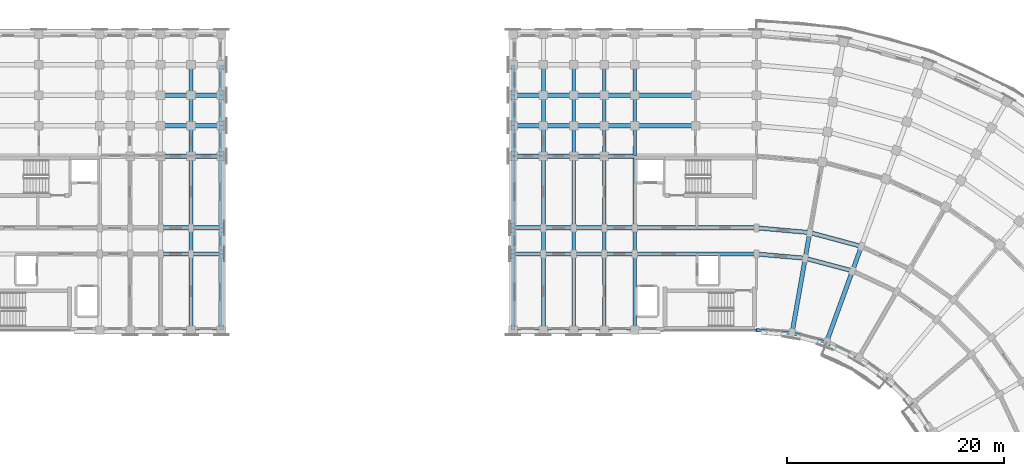
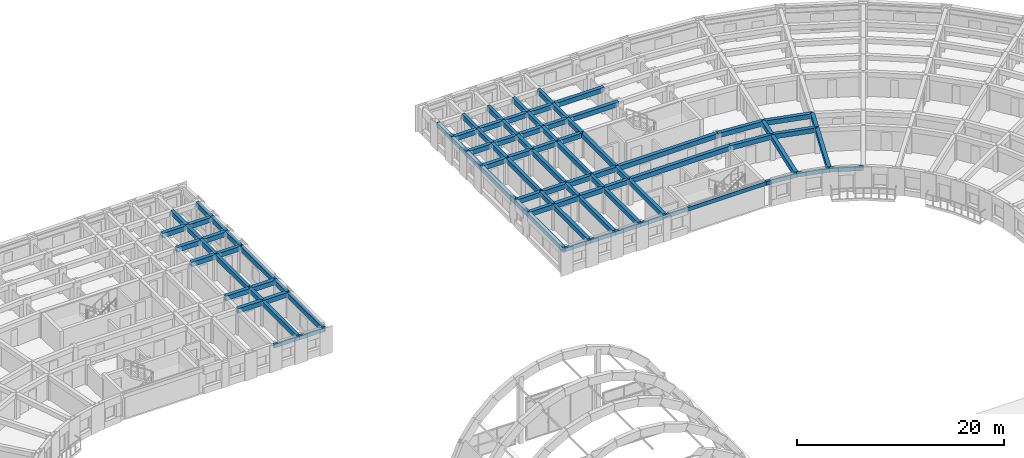
# One storey, part 22 of 76: 94 beams.
"""IFC4 building model written with IfcOpenShell, lengths in metres."""

from ifc_helpers import new_model, si_unit, direction, frame, origin, origin_2d, place, context, subcontext, project, spatial, rectangle, extrude, material, material_profile, profile_set, type_object, element, save


model = new_model("IFC4")

# Units and contexts
model_context = context("Model", 3, precision=1e-05, world=origin(), true_north=direction((0.0, 1.0)))
body_context = subcontext(model_context, "Body", "Model", "MODEL_VIEW")
ifc_project = project(units=[si_unit("LENGTHUNIT", "METRE"), si_unit("AREAUNIT", "SQUARE_METRE"), si_unit("VOLUMEUNIT", "CUBIC_METRE"), si_unit("PLANEANGLEUNIT", "RADIAN"), si_unit("MASSUNIT", "GRAM", prefix="KILO")], contexts=[model_context])

# Site, building, storey
site_placement = place(None, origin())
site = spatial("IfcSite", under=ifc_project, at=site_placement, CompositionType="ELEMENT")
building_placement = place(site_placement, origin())
building = spatial("IfcBuilding", under=site, at=building_placement, Name="Kiranvali Square Residences", CompositionType="ELEMENT")
storey_placement = place(building_placement, frame((0.0, 0.0, 8.699951171875)))
storey = spatial("IfcBuildingStorey", under=building, at=storey_placement, Name="L02", CompositionType="ELEMENT", Elevation=8.699951171875)

# Beams
ifc_material_1 = material(Name="Concrete M40 (40 MPa)", Category="concrete")
ifc_material_profile_1 = material_profile(ifc_material_1, rectangle(XDim=0.35009765625, YDim=0.550048828125, at=origin_2d()), Name="RC 350x550")
ifc_profile_set_1 = profile_set([ifc_material_profile_1], Name="Concrete M40 (40 MPa)")
beam_type_1 = type_object("IfcBeamType", Name="BM-M40-350x550", PredefinedType="BEAM", material=ifc_profile_set_1)
beam_1_placement = place(storey_placement, frame((67.800048828125, 106.60009765625, 2.655029296875), z_axis=(0.0, 1.0, 0.0), x_axis=(-1.0, 0.0, 0.0)))
element("IfcBeam", 1, at=beam_1_placement, inside=storey, type_object=beam_type_1, Name="L02 beam BM-A-L02-A1T4-01", PredefinedType="BEAM", context=body_context, shape_type="SweptSolid", body=[
    extrude(rectangle(XDim=0.35009765625, YDim=0.550048828125, at=origin_2d()), origin(), (0.0, 0.0, 1.0), 7.0),
])
beam_2_placement = place(storey_placement, frame((67.800048828125, 113.60009765625, 2.655029296875), z_axis=(0.0, 1.0, 0.0), x_axis=(-1.0, 0.0, 0.0)))
element("IfcBeam", 2, at=beam_2_placement, inside=storey, type_object=beam_type_1, Name="L02 beam BM-A-L02-A1T4-12", PredefinedType="BEAM", context=body_context, shape_type="SweptSolid", body=[
    extrude(rectangle(XDim=0.35009765625, YDim=0.550048828125, at=origin_2d()), origin(), (0.0, 0.0, 1.0), 2.39990234375),
])
beam_3_placement = place(storey_placement, frame((67.800048828125, 116.0, 2.655029296875), z_axis=(0.0, 1.0, 0.0), x_axis=(-1.0, 0.0, 0.0)))
element("IfcBeam", 3, at=beam_3_placement, inside=storey, type_object=beam_type_1, Name="L02 beam BM-A-L02-A1T4-23", PredefinedType="BEAM", context=body_context, shape_type="SweptSolid", body=[
    extrude(rectangle(XDim=0.35009765625, YDim=0.550048828125, at=origin_2d()), origin(), (0.0, 0.0, 1.0), 6.60009765625),
])
beam_4_placement = place(storey_placement, frame((67.800048828125, 122.60009765625, 2.655029296875), z_axis=(0.0, 1.0, 0.0), x_axis=(-1.0, 0.0, 0.0)))
element("IfcBeam", 4, at=beam_4_placement, inside=storey, type_object=beam_type_1, Name="L02 beam BM-A-L02-A1T4-34", PredefinedType="BEAM", context=body_context, shape_type="SweptSolid", body=[
    extrude(rectangle(XDim=0.35009765625, YDim=0.550048828125, at=origin_2d()), origin(), (0.0, 0.0, 1.0), 2.7998046875),
])
for number, where, z_axis, x_axis, name in (
    (5, (67.800048828125, 125.39990234375, 2.655029296875), (0.0, 1.0, 0.0), (-1.0, 0.0, 0.0), "L02 beam BM-A-L02-A1T4-45"),
    (6, (67.800048828125, 128.199951171875, 2.655029296875), (0.0, 1.0, 0.0), (-1.0, 0.0, 0.0), "L02 beam BM-A-L02-A1T4-56"),
):
    element("IfcBeam", number, at=place(storey_placement, frame(where, z_axis=z_axis, x_axis=x_axis)), inside=storey, type_object=beam_type_1, Name=name, PredefinedType="BEAM", context=body_context, shape_type="SweptSolid", body=[
        extrude(rectangle(XDim=0.35009765625, YDim=0.550048828125, at=origin_2d()), origin(), (0.0, 0.0, 1.0), 2.800048828125),
    ])
beam_5_placement = place(storey_placement, frame((70.60009765625, 106.60009765625, 2.655029296875), z_axis=(0.0, 1.0, 0.0), x_axis=(-1.0, 0.0, 0.0)))
element("IfcBeam", 7, at=beam_5_placement, inside=storey, type_object=beam_type_1, Name="L02 beam BM-A-L02-A1T5-01", PredefinedType="BEAM", context=body_context, shape_type="SweptSolid", body=[
    extrude(rectangle(XDim=0.35009765625, YDim=0.550048828125, at=origin_2d()), origin(), (0.0, 0.0, 1.0), 7.0),
])
beam_6_placement = place(storey_placement, frame((70.60009765625, 113.60009765625, 2.655029296875), z_axis=(0.0, 1.0, 0.0), x_axis=(-1.0, 0.0, 0.0)))
element("IfcBeam", 8, at=beam_6_placement, inside=storey, type_object=beam_type_1, Name="L02 beam BM-A-L02-A1T5-12", PredefinedType="BEAM", context=body_context, shape_type="SweptSolid", body=[
    extrude(rectangle(XDim=0.35009765625, YDim=0.550048828125, at=origin_2d()), origin(), (0.0, 0.0, 1.0), 2.39990234375),
])
beam_7_placement = place(storey_placement, frame((70.60009765625, 116.0, 2.655029296875), z_axis=(0.0, 1.0, 0.0), x_axis=(-1.0, 0.0, 0.0)))
element("IfcBeam", 9, at=beam_7_placement, inside=storey, type_object=beam_type_1, Name="L02 beam BM-A-L02-A1T5-23", PredefinedType="BEAM", context=body_context, shape_type="SweptSolid", body=[
    extrude(rectangle(XDim=0.35009765625, YDim=0.550048828125, at=origin_2d()), origin(), (0.0, 0.0, 1.0), 6.60009765625),
])
beam_8_placement = place(storey_placement, frame((70.60009765625, 122.60009765625, 2.655029296875), z_axis=(0.0, 1.0, 0.0), x_axis=(-1.0, 0.0, 0.0)))
element("IfcBeam", 10, at=beam_8_placement, inside=storey, type_object=beam_type_1, Name="L02 beam BM-A-L02-A1T5-34", PredefinedType="BEAM", context=body_context, shape_type="SweptSolid", body=[
    extrude(rectangle(XDim=0.35009765625, YDim=0.550048828125, at=origin_2d()), origin(), (0.0, 0.0, 1.0), 2.7998046875),
])
for number, where, z_axis, x_axis, name in (
    (11, (70.60009765625, 125.39990234375, 2.655029296875), (0.0, 1.0, 0.0), (-1.0, 0.0, 0.0), "L02 beam BM-A-L02-A1T5-45"),
    (12, (70.60009765625, 128.199951171875, 2.655029296875), (0.0, 1.0, 0.0), (-1.0, 0.0, 0.0), "L02 beam BM-A-L02-A1T5-56"),
):
    element("IfcBeam", number, at=place(storey_placement, frame(where, z_axis=z_axis, x_axis=x_axis)), inside=storey, type_object=beam_type_1, Name=name, PredefinedType="BEAM", context=body_context, shape_type="SweptSolid", body=[
        extrude(rectangle(XDim=0.35009765625, YDim=0.550048828125, at=origin_2d()), origin(), (0.0, 0.0, 1.0), 2.800048828125),
    ])
beam_9_placement = place(storey_placement, frame((108.60009765625, 106.60009765625, 2.655029296875), z_axis=(0.0, 1.0, 0.0), x_axis=(-1.0, 0.0, 0.0)))
element("IfcBeam", 13, at=beam_9_placement, inside=storey, type_object=beam_type_1, Name="L02 beam BM-B-L02-A1T1-01", PredefinedType="BEAM", context=body_context, shape_type="SweptSolid", body=[
    extrude(rectangle(XDim=0.35009765625, YDim=0.550048828125, at=origin_2d()), origin(), (0.0, 0.0, 1.0), 7.0),
])
beam_10_placement = place(storey_placement, frame((108.60009765625, 113.60009765625, 2.655029296875), z_axis=(0.0, 1.0, 0.0), x_axis=(-1.0, 0.0, 0.0)))
element("IfcBeam", 14, at=beam_10_placement, inside=storey, type_object=beam_type_1, Name="L02 beam BM-B-L02-A1T1-12", PredefinedType="BEAM", context=body_context, shape_type="SweptSolid", body=[
    extrude(rectangle(XDim=0.35009765625, YDim=0.550048828125, at=origin_2d()), origin(), (0.0, 0.0, 1.0), 2.39990234375),
])
beam_11_placement = place(storey_placement, frame((108.60009765625, 116.0, 2.655029296875), z_axis=(0.0, 1.0, 0.0), x_axis=(-1.0, 0.0, 0.0)))
element("IfcBeam", 15, at=beam_11_placement, inside=storey, type_object=beam_type_1, Name="L02 beam BM-B-L02-A1T1-23", PredefinedType="BEAM", context=body_context, shape_type="SweptSolid", body=[
    extrude(rectangle(XDim=0.35009765625, YDim=0.550048828125, at=origin_2d()), origin(), (0.0, 0.0, 1.0), 6.60009765625),
])
beam_12_placement = place(storey_placement, frame((108.60009765625, 122.60009765625, 2.655029296875), z_axis=(0.0, 1.0, 0.0), x_axis=(-1.0, 0.0, 0.0)))
element("IfcBeam", 16, at=beam_12_placement, inside=storey, type_object=beam_type_1, Name="L02 beam BM-B-L02-A1T1-34", PredefinedType="BEAM", context=body_context, shape_type="SweptSolid", body=[
    extrude(rectangle(XDim=0.35009765625, YDim=0.550048828125, at=origin_2d()), origin(), (0.0, 0.0, 1.0), 2.7998046875),
])
for number, where, z_axis, x_axis, name in (
    (17, (108.60009765625, 125.39990234375, 2.655029296875), (0.0, 1.0, 0.0), (-1.0, 0.0, 0.0), "L02 beam BM-B-L02-A1T1-45"),
    (18, (108.60009765625, 128.199951171875, 2.655029296875), (0.0, 1.0, 0.0), (-1.0, 0.0, 0.0), "L02 beam BM-B-L02-A1T1-56"),
):
    element("IfcBeam", number, at=place(storey_placement, frame(where, z_axis=z_axis, x_axis=x_axis)), inside=storey, type_object=beam_type_1, Name=name, PredefinedType="BEAM", context=body_context, shape_type="SweptSolid", body=[
        extrude(rectangle(XDim=0.35009765625, YDim=0.550048828125, at=origin_2d()), origin(), (0.0, 0.0, 1.0), 2.800048828125),
    ])
beam_13_placement = place(storey_placement, frame((105.800048828125, 106.60009765625, 2.655029296875), z_axis=(0.0, 1.0, 0.0), x_axis=(-1.0, 0.0, 0.0)))
element("IfcBeam", 19, at=beam_13_placement, inside=storey, type_object=beam_type_1, Name="L02 beam BM-B-L02-A1T2-01", PredefinedType="BEAM", context=body_context, shape_type="SweptSolid", body=[
    extrude(rectangle(XDim=0.35009765625, YDim=0.550048828125, at=origin_2d()), origin(), (0.0, 0.0, 1.0), 7.0),
])
beam_14_placement = place(storey_placement, frame((105.800048828125, 113.60009765625, 2.655029296875), z_axis=(0.0, 1.0, 0.0), x_axis=(-1.0, 0.0, 0.0)))
element("IfcBeam", 20, at=beam_14_placement, inside=storey, type_object=beam_type_1, Name="L02 beam BM-B-L02-A1T2-12", PredefinedType="BEAM", context=body_context, shape_type="SweptSolid", body=[
    extrude(rectangle(XDim=0.35009765625, YDim=0.550048828125, at=origin_2d()), origin(), (0.0, 0.0, 1.0), 2.39990234375),
])
beam_15_placement = place(storey_placement, frame((105.800048828125, 116.0, 2.655029296875), z_axis=(0.0, 1.0, 0.0), x_axis=(-1.0, 0.0, 0.0)))
element("IfcBeam", 21, at=beam_15_placement, inside=storey, type_object=beam_type_1, Name="L02 beam BM-B-L02-A1T2-23", PredefinedType="BEAM", context=body_context, shape_type="SweptSolid", body=[
    extrude(rectangle(XDim=0.35009765625, YDim=0.550048828125, at=origin_2d()), origin(), (0.0, 0.0, 1.0), 6.60009765625),
])
beam_16_placement = place(storey_placement, frame((105.800048828125, 122.60009765625, 2.655029296875), z_axis=(0.0, 1.0, 0.0), x_axis=(-1.0, 0.0, 0.0)))
element("IfcBeam", 22, at=beam_16_placement, inside=storey, type_object=beam_type_1, Name="L02 beam BM-B-L02-A1T2-34", PredefinedType="BEAM", context=body_context, shape_type="SweptSolid", body=[
    extrude(rectangle(XDim=0.35009765625, YDim=0.550048828125, at=origin_2d()), origin(), (0.0, 0.0, 1.0), 2.7998046875),
])
for number, where, z_axis, x_axis, name in (
    (23, (105.800048828125, 125.39990234375, 2.655029296875), (0.0, 1.0, 0.0), (-1.0, 0.0, 0.0), "L02 beam BM-B-L02-A1T2-45"),
    (24, (105.800048828125, 128.199951171875, 2.655029296875), (0.0, 1.0, 0.0), (-1.0, 0.0, 0.0), "L02 beam BM-B-L02-A1T2-56"),
):
    element("IfcBeam", number, at=place(storey_placement, frame(where, z_axis=z_axis, x_axis=x_axis)), inside=storey, type_object=beam_type_1, Name=name, PredefinedType="BEAM", context=body_context, shape_type="SweptSolid", body=[
        extrude(rectangle(XDim=0.35009765625, YDim=0.550048828125, at=origin_2d()), origin(), (0.0, 0.0, 1.0), 2.800048828125),
    ])
beam_17_placement = place(storey_placement, frame((103.0, 106.60009765625, 2.655029296875), z_axis=(0.0, 1.0, 0.0), x_axis=(-1.0, 0.0, 0.0)))
element("IfcBeam", 25, at=beam_17_placement, inside=storey, type_object=beam_type_1, Name="L02 beam BM-B-L02-A1T3-01", PredefinedType="BEAM", context=body_context, shape_type="SweptSolid", body=[
    extrude(rectangle(XDim=0.35009765625, YDim=0.550048828125, at=origin_2d()), origin(), (0.0, 0.0, 1.0), 7.0),
])
beam_18_placement = place(storey_placement, frame((103.0, 113.60009765625, 2.655029296875), z_axis=(0.0, 1.0, 0.0), x_axis=(-1.0, 0.0, 0.0)))
element("IfcBeam", 26, at=beam_18_placement, inside=storey, type_object=beam_type_1, Name="L02 beam BM-B-L02-A1T3-12", PredefinedType="BEAM", context=body_context, shape_type="SweptSolid", body=[
    extrude(rectangle(XDim=0.35009765625, YDim=0.550048828125, at=origin_2d()), origin(), (0.0, 0.0, 1.0), 2.39990234375),
])
beam_19_placement = place(storey_placement, frame((103.0, 116.0, 2.655029296875), z_axis=(0.0, 1.0, 0.0), x_axis=(-1.0, 0.0, 0.0)))
element("IfcBeam", 27, at=beam_19_placement, inside=storey, type_object=beam_type_1, Name="L02 beam BM-B-L02-A1T3-23", PredefinedType="BEAM", context=body_context, shape_type="SweptSolid", body=[
    extrude(rectangle(XDim=0.35009765625, YDim=0.550048828125, at=origin_2d()), origin(), (0.0, 0.0, 1.0), 6.60009765625),
])
beam_20_placement = place(storey_placement, frame((103.0, 122.60009765625, 2.655029296875), z_axis=(0.0, 1.0, 0.0), x_axis=(-1.0, 0.0, 0.0)))
element("IfcBeam", 28, at=beam_20_placement, inside=storey, type_object=beam_type_1, Name="L02 beam BM-B-L02-A1T3-34", PredefinedType="BEAM", context=body_context, shape_type="SweptSolid", body=[
    extrude(rectangle(XDim=0.35009765625, YDim=0.550048828125, at=origin_2d()), origin(), (0.0, 0.0, 1.0), 2.7998046875),
])
for number, where, z_axis, x_axis, name in (
    (29, (103.0, 125.39990234375, 2.655029296875), (0.0, 1.0, 0.0), (-1.0, 0.0, 0.0), "L02 beam BM-B-L02-A1T3-45"),
    (30, (103.0, 128.199951171875, 2.655029296875), (0.0, 1.0, 0.0), (-1.0, 0.0, 0.0), "L02 beam BM-B-L02-A1T3-56"),
):
    element("IfcBeam", number, at=place(storey_placement, frame(where, z_axis=z_axis, x_axis=x_axis)), inside=storey, type_object=beam_type_1, Name=name, PredefinedType="BEAM", context=body_context, shape_type="SweptSolid", body=[
        extrude(rectangle(XDim=0.35009765625, YDim=0.550048828125, at=origin_2d()), origin(), (0.0, 0.0, 1.0), 2.800048828125),
    ])
beam_21_placement = place(storey_placement, frame((100.199951171875, 106.60009765625, 2.655029296875), z_axis=(0.0, 1.0, 0.0), x_axis=(-1.0, 0.0, 0.0)))
element("IfcBeam", 31, at=beam_21_placement, inside=storey, type_object=beam_type_1, Name="L02 beam BM-B-L02-A1T4-01", PredefinedType="BEAM", context=body_context, shape_type="SweptSolid", body=[
    extrude(rectangle(XDim=0.35009765625, YDim=0.550048828125, at=origin_2d()), origin(), (0.0, 0.0, 1.0), 7.0),
])
beam_22_placement = place(storey_placement, frame((100.199951171875, 113.60009765625, 2.655029296875), z_axis=(0.0, 1.0, 0.0), x_axis=(-1.0, 0.0, 0.0)))
element("IfcBeam", 32, at=beam_22_placement, inside=storey, type_object=beam_type_1, Name="L02 beam BM-B-L02-A1T4-12", PredefinedType="BEAM", context=body_context, shape_type="SweptSolid", body=[
    extrude(rectangle(XDim=0.35009765625, YDim=0.550048828125, at=origin_2d()), origin(), (0.0, 0.0, 1.0), 2.39990234375),
])
beam_23_placement = place(storey_placement, frame((100.199951171875, 116.0, 2.655029296875), z_axis=(0.0, 1.0, 0.0), x_axis=(-1.0, 0.0, 0.0)))
element("IfcBeam", 33, at=beam_23_placement, inside=storey, type_object=beam_type_1, Name="L02 beam BM-B-L02-A1T4-23", PredefinedType="BEAM", context=body_context, shape_type="SweptSolid", body=[
    extrude(rectangle(XDim=0.35009765625, YDim=0.550048828125, at=origin_2d()), origin(), (0.0, 0.0, 1.0), 6.60009765625),
])
beam_24_placement = place(storey_placement, frame((100.199951171875, 122.60009765625, 2.655029296875), z_axis=(0.0, 1.0, 0.0), x_axis=(-1.0, 0.0, 0.0)))
element("IfcBeam", 34, at=beam_24_placement, inside=storey, type_object=beam_type_1, Name="L02 beam BM-B-L02-A1T4-34", PredefinedType="BEAM", context=body_context, shape_type="SweptSolid", body=[
    extrude(rectangle(XDim=0.35009765625, YDim=0.550048828125, at=origin_2d()), origin(), (0.0, 0.0, 1.0), 2.7998046875),
])
for number, where, z_axis, x_axis, name in (
    (35, (100.199951171875, 125.39990234375, 2.655029296875), (0.0, 1.0, 0.0), (-1.0, 0.0, 0.0), "L02 beam BM-B-L02-A1T4-45"),
    (36, (100.199951171875, 128.199951171875, 2.655029296875), (0.0, 1.0, 0.0), (-1.0, 0.0, 0.0), "L02 beam BM-B-L02-A1T4-56"),
):
    element("IfcBeam", number, at=place(storey_placement, frame(where, z_axis=z_axis, x_axis=x_axis)), inside=storey, type_object=beam_type_1, Name=name, PredefinedType="BEAM", context=body_context, shape_type="SweptSolid", body=[
        extrude(rectangle(XDim=0.35009765625, YDim=0.550048828125, at=origin_2d()), origin(), (0.0, 0.0, 1.0), 2.800048828125),
    ])
beam_25_placement = place(storey_placement, frame((97.39990234375, 106.60009765625, 2.655029296875), z_axis=(0.0, 1.0, 0.0), x_axis=(-1.0, 0.0, 0.0)))
element("IfcBeam", 37, at=beam_25_placement, inside=storey, type_object=beam_type_1, Name="L02 beam BM-B-L02-A1T5-01", PredefinedType="BEAM", context=body_context, shape_type="SweptSolid", body=[
    extrude(rectangle(XDim=0.35009765625, YDim=0.550048828125, at=origin_2d()), origin(), (0.0, 0.0, 1.0), 7.0),
])
beam_26_placement = place(storey_placement, frame((97.39990234375, 113.60009765625, 2.655029296875), z_axis=(0.0, 1.0, 0.0), x_axis=(-1.0, 0.0, 0.0)))
element("IfcBeam", 38, at=beam_26_placement, inside=storey, type_object=beam_type_1, Name="L02 beam BM-B-L02-A1T5-12", PredefinedType="BEAM", context=body_context, shape_type="SweptSolid", body=[
    extrude(rectangle(XDim=0.35009765625, YDim=0.550048828125, at=origin_2d()), origin(), (0.0, 0.0, 1.0), 2.39990234375),
])
beam_27_placement = place(storey_placement, frame((97.39990234375, 116.0, 2.655029296875), z_axis=(0.0, 1.0, 0.0), x_axis=(-1.0, 0.0, 0.0)))
element("IfcBeam", 39, at=beam_27_placement, inside=storey, type_object=beam_type_1, Name="L02 beam BM-B-L02-A1T5-23", PredefinedType="BEAM", context=body_context, shape_type="SweptSolid", body=[
    extrude(rectangle(XDim=0.35009765625, YDim=0.550048828125, at=origin_2d()), origin(), (0.0, 0.0, 1.0), 6.60009765625),
])
beam_28_placement = place(storey_placement, frame((97.39990234375, 122.60009765625, 2.655029296875), z_axis=(0.0, 1.0, 0.0), x_axis=(-1.0, 0.0, 0.0)))
element("IfcBeam", 40, at=beam_28_placement, inside=storey, type_object=beam_type_1, Name="L02 beam BM-B-L02-A1T5-34", PredefinedType="BEAM", context=body_context, shape_type="SweptSolid", body=[
    extrude(rectangle(XDim=0.35009765625, YDim=0.550048828125, at=origin_2d()), origin(), (0.0, 0.0, 1.0), 2.7998046875),
])
for number, where, z_axis, x_axis, name in (
    (41, (97.39990234375, 125.39990234375, 2.655029296875), (0.0, 1.0, 0.0), (-1.0, 0.0, 0.0), "L02 beam BM-B-L02-A1T5-45"),
    (42, (97.39990234375, 128.199951171875, 2.655029296875), (0.0, 1.0, 0.0), (-1.0, 0.0, 0.0), "L02 beam BM-B-L02-A1T5-56"),
):
    element("IfcBeam", number, at=place(storey_placement, frame(where, z_axis=z_axis, x_axis=x_axis)), inside=storey, type_object=beam_type_1, Name=name, PredefinedType="BEAM", context=body_context, shape_type="SweptSolid", body=[
        extrude(rectangle(XDim=0.35009765625, YDim=0.550048828125, at=origin_2d()), origin(), (0.0, 0.0, 1.0), 2.800048828125),
    ])
ifc_material_2 = material(Name="Concrete M45 (45 MPa)", Category="concrete")
ifc_material_profile_2 = material_profile(ifc_material_2, rectangle(XDim=0.39990234375, YDim=0.550048828125, at=origin_2d()), Name="RC 400x550")
ifc_profile_set_2 = profile_set([ifc_material_profile_2], Name="Concrete M45 (45 MPa)")
beam_type_2 = type_object("IfcBeamType", Name="BM-M45-400x550", PredefinedType="BEAM", material=ifc_profile_set_2)
for number, where, z_axis, x_axis, name in (
    (43, (65.0, 113.60009765625, 2.655029296875), (1.0, 0.0, 0.0), (0.0, 1.0, 0.0), "L02 beam BM-A-L02-A1U3-R1"),
    (44, (67.800048828125, 113.60009765625, 2.655029296875), (1.0, 0.0, 0.0), (0.0, 1.0, 0.0), "L02 beam BM-A-L02-A1U4-R1"),
    (45, (65.0, 116.0, 2.655029296875), (1.0, 0.0, 0.0), (0.0, 1.0, 0.0), "L02 beam BM-A-L02-A1U3-R2"),
    (46, (67.800048828125, 116.0, 2.655029296875), (1.0, 0.0, 0.0), (0.0, 1.0, 0.0), "L02 beam BM-A-L02-A1U4-R2"),
    (47, (65.0, 122.60009765625, 2.655029296875), (1.0, 0.0, 0.0), (0.0, 1.0, 0.0), "L02 beam BM-A-L02-A1U3-R3"),
    (48, (67.800048828125, 122.60009765625, 2.655029296875), (1.0, 0.0, 0.0), (0.0, 1.0, 0.0), "L02 beam BM-A-L02-A1U4-R3"),
    (49, (65.0, 125.39990234375, 2.655029296875), (1.0, 0.0, 0.0), (0.0, 1.0, 0.0), "L02 beam BM-A-L02-A1U4-R4"),
    (50, (67.800048828125, 125.39990234375, 2.655029296875), (1.0, 0.0, 0.0), (0.0, 1.0, 0.0), "L02 beam BM-A-L02-A1U5-R4"),
    (51, (65.0, 128.199951171875, 2.655029296875), (1.0, 0.0, 0.0), (0.0, 1.0, 0.0), "L02 beam BM-A-L02-A1U4-R5"),
    (52, (67.800048828125, 128.199951171875, 2.655029296875), (1.0, 0.0, 0.0), (0.0, 1.0, 0.0), "L02 beam BM-A-L02-A1U5-R5"),
):
    element("IfcBeam", number, at=place(storey_placement, frame(where, z_axis=z_axis, x_axis=x_axis)), inside=storey, type_object=beam_type_2, Name=name, PredefinedType="BEAM", context=body_context, shape_type="SweptSolid", body=[
        extrude(rectangle(XDim=0.39990234375, YDim=0.550048828125, at=origin_2d()), origin(), (0.0, 0.0, 1.0), 2.800048828125),
    ])
beam_29_placement = place(storey_placement, frame((119.800048828125, 113.60009765625, 2.655029296875), z_axis=(0.996191949488, -0.087187153726, 0.0), x_axis=(0.087187153726, 0.996191949488, 0.0)))
element("IfcBeam", 53, at=beam_29_placement, inside=storey, type_object=beam_type_2, Name="L02 beam BM-B-L02-C00-R1", PredefinedType="BEAM", context=body_context, shape_type="SweptSolid", body=[
    extrude(rectangle(XDim=0.39990234375, YDim=0.550048828125, at=origin_2d()), origin(), (0.0, 0.0, 1.0), 4.4970703125),
])
beam_30_placement = place(storey_placement, frame((119.800048828125, 116.0, 2.655029296875), z_axis=(0.996193663584, -0.087167566415, 0.0), x_axis=(0.087167566415, 0.996193663584, 0.0)))
element("IfcBeam", 54, at=beam_30_placement, inside=storey, type_object=beam_type_2, Name="L02 beam BM-B-L02-C00-R2", PredefinedType="BEAM", context=body_context, shape_type="SweptSolid", body=[
    extrude(rectangle(XDim=0.39990234375, YDim=0.550048828125, at=origin_2d()), origin(), (0.0, 0.0, 1.0), 4.91552734375),
])
beam_31_placement = place(storey_placement, frame((124.280029296875, 113.2080078125, 2.655029296875), z_axis=(0.965934240054, -0.258787642463, 0.0), x_axis=(0.258787642463, 0.965934240054, 0.0)))
element("IfcBeam", 55, at=beam_31_placement, inside=storey, type_object=beam_type_2, Name="L02 beam BM-B-L02-C01-R1", PredefinedType="BEAM", context=body_context, shape_type="SweptSolid", body=[
    extrude(rectangle(XDim=0.39990234375, YDim=0.550048828125, at=origin_2d()), origin(), (0.0, 0.0, 1.0), 4.497314453125),
])
beam_32_placement = place(storey_placement, frame((124.69677734375, 115.571533203125, 2.655029296875), z_axis=(0.965930095386, -0.258803112091, 0.0), x_axis=(0.258803112091, 0.965930095386, 0.0)))
element("IfcBeam", 56, at=beam_32_placement, inside=storey, type_object=beam_type_2, Name="L02 beam BM-B-L02-C01-R2", PredefinedType="BEAM", context=body_context, shape_type="SweptSolid", body=[
    extrude(rectangle(XDim=0.39990234375, YDim=0.550048828125, at=origin_2d()), origin(), (0.0, 0.0, 1.0), 4.915771484375),
])
beam_33_placement = place(storey_placement, frame((123.064697265625, 106.314453125, 2.655029296875), z_axis=(0.173622177865, 0.984812337125, 0.0), x_axis=(-0.984812337125, 0.173622177865, 0.0)))
element("IfcBeam", 57, at=beam_33_placement, inside=storey, type_object=beam_type_2, Name="L02 beam BM-B-L02-RAD01-01", PredefinedType="BEAM", context=body_context, shape_type="SweptSolid", body=[
    extrude(rectangle(XDim=0.39990234375, YDim=0.550048828125, at=origin_2d()), origin(), (0.0, 0.0, 1.0), 6.999755859375),
])
beam_34_placement = place(storey_placement, frame((124.280029296875, 113.2080078125, 2.655029296875), z_axis=(0.173646056486, 0.984808127031, 0.0), x_axis=(-0.984808127031, 0.173646056486, 0.0)))
element("IfcBeam", 58, at=beam_34_placement, inside=storey, type_object=beam_type_2, Name="L02 beam BM-B-L02-RAD01-12", PredefinedType="BEAM", context=body_context, shape_type="SweptSolid", body=[
    extrude(rectangle(XDim=0.39990234375, YDim=0.550048828125, at=origin_2d()), origin(), (0.0, 0.0, 1.0), 2.39990234375),
])
beam_35_placement = place(storey_placement, frame((126.22998046875, 105.46630859375, 2.655029296875), z_axis=(0.342006283793, 0.939697665127, 0.0), x_axis=(-0.939697665127, 0.342006283793, 0.0)))
element("IfcBeam", 59, at=beam_35_placement, inside=storey, type_object=beam_type_2, Name="L02 beam BM-B-L02-RAD02-01", PredefinedType="BEAM", context=body_context, shape_type="SweptSolid", body=[
    extrude(rectangle(XDim=0.39990234375, YDim=0.550048828125, at=origin_2d()), origin(), (0.0, 0.0, 1.0), 7.0),
])
beam_36_placement = place(storey_placement, frame((128.6240234375, 112.044189453125, 2.655029296875), z_axis=(0.342110593602, 0.939659694648, 0.0), x_axis=(-0.939659694648, 0.342110593602, 0.0)))
element("IfcBeam", 60, at=beam_36_placement, inside=storey, type_object=beam_type_2, Name="L02 beam BM-B-L02-RAD02-12", PredefinedType="BEAM", context=body_context, shape_type="SweptSolid", body=[
    extrude(rectangle(XDim=0.39990234375, YDim=0.550048828125, at=origin_2d()), origin(), (0.0, 0.0, 1.0), 2.39990234375),
])
beam_37_placement = place(storey_placement, frame((119.800048828125, 113.60009765625, 2.655029296875), z_axis=(-1.0, 0.0, 0.0), x_axis=(0.0, -1.0, 0.0)))
element("IfcBeam", 61, at=beam_37_placement, inside=storey, type_object=beam_type_2, Name="L02 beam BM-B-L02-A1U0-R1", PredefinedType="BEAM", context=body_context, shape_type="SweptSolid", body=[
    extrude(rectangle(XDim=0.39990234375, YDim=0.550048828125, at=origin_2d()), origin(), (0.0, 0.0, 1.0), 11.199951171875),
])
for number, where, z_axis, x_axis, name in (
    (62, (108.60009765625, 113.60009765625, 2.655029296875), (-1.0, 0.0, 0.0), (0.0, -1.0, 0.0), "L02 beam BM-B-L02-A1U1-R1"),
    (63, (105.800048828125, 113.60009765625, 2.655029296875), (-1.0, 0.0, 0.0), (0.0, -1.0, 0.0), "L02 beam BM-B-L02-A1U2-R1"),
    (64, (103.0, 113.60009765625, 2.655029296875), (-1.0, 0.0, 0.0), (0.0, -1.0, 0.0), "L02 beam BM-B-L02-A1U3-R1"),
    (65, (100.199951171875, 113.60009765625, 2.655029296875), (-1.0, 0.0, 0.0), (0.0, -1.0, 0.0), "L02 beam BM-B-L02-A1U4-R1"),
):
    element("IfcBeam", number, at=place(storey_placement, frame(where, z_axis=z_axis, x_axis=x_axis)), inside=storey, type_object=beam_type_2, Name=name, PredefinedType="BEAM", context=body_context, shape_type="SweptSolid", body=[
        extrude(rectangle(XDim=0.39990234375, YDim=0.550048828125, at=origin_2d()), origin(), (0.0, 0.0, 1.0), 2.800048828125),
    ])
beam_38_placement = place(storey_placement, frame((119.800048828125, 116.0, 2.655029296875), z_axis=(-1.0, 0.0, 0.0), x_axis=(0.0, -1.0, 0.0)))
element("IfcBeam", 66, at=beam_38_placement, inside=storey, type_object=beam_type_2, Name="L02 beam BM-B-L02-A1U0-R2", PredefinedType="BEAM", context=body_context, shape_type="SweptSolid", body=[
    extrude(rectangle(XDim=0.39990234375, YDim=0.550048828125, at=origin_2d()), origin(), (0.0, 0.0, 1.0), 11.199951171875),
])
for number, where, z_axis, x_axis, name in (
    (67, (108.60009765625, 116.0, 2.655029296875), (-1.0, 0.0, 0.0), (0.0, -1.0, 0.0), "L02 beam BM-B-L02-A1U1-R2"),
    (68, (105.800048828125, 116.0, 2.655029296875), (-1.0, 0.0, 0.0), (0.0, -1.0, 0.0), "L02 beam BM-B-L02-A1U2-R2"),
    (69, (103.0, 116.0, 2.655029296875), (-1.0, 0.0, 0.0), (0.0, -1.0, 0.0), "L02 beam BM-B-L02-A1U3-R2"),
    (70, (100.199951171875, 116.0, 2.655029296875), (-1.0, 0.0, 0.0), (0.0, -1.0, 0.0), "L02 beam BM-B-L02-A1U4-R2"),
    (71, (108.60009765625, 122.60009765625, 2.655029296875), (-1.0, 0.0, 0.0), (0.0, -1.0, 0.0), "L02 beam BM-B-L02-A1U1-R3"),
    (72, (105.800048828125, 122.60009765625, 2.655029296875), (-1.0, 0.0, 0.0), (0.0, -1.0, 0.0), "L02 beam BM-B-L02-A1U2-R3"),
    (73, (103.0, 122.60009765625, 2.655029296875), (-1.0, 0.0, 0.0), (0.0, -1.0, 0.0), "L02 beam BM-B-L02-A1U3-R3"),
    (74, (100.199951171875, 122.60009765625, 2.655029296875), (-1.0, 0.0, 0.0), (0.0, -1.0, 0.0), "L02 beam BM-B-L02-A1U4-R3"),
):
    element("IfcBeam", number, at=place(storey_placement, frame(where, z_axis=z_axis, x_axis=x_axis)), inside=storey, type_object=beam_type_2, Name=name, PredefinedType="BEAM", context=body_context, shape_type="SweptSolid", body=[
        extrude(rectangle(XDim=0.39990234375, YDim=0.550048828125, at=origin_2d()), origin(), (0.0, 0.0, 1.0), 2.800048828125),
    ])
beam_39_placement = place(storey_placement, frame((114.199951171875, 125.39990234375, 2.655029296875), z_axis=(-1.0, 0.0, 0.0), x_axis=(0.0, -1.0, 0.0)))
element("IfcBeam", 75, at=beam_39_placement, inside=storey, type_object=beam_type_2, Name="L02 beam BM-B-L02-A1U1-R4", PredefinedType="BEAM", context=body_context, shape_type="SweptSolid", body=[
    extrude(rectangle(XDim=0.39990234375, YDim=0.550048828125, at=origin_2d()), origin(), (0.0, 0.0, 1.0), 5.599853515625),
])
for number, where, z_axis, x_axis, name in (
    (76, (108.60009765625, 125.39990234375, 2.655029296875), (-1.0, 0.0, 0.0), (0.0, -1.0, 0.0), "L02 beam BM-B-L02-A1U2-R4"),
    (77, (105.800048828125, 125.39990234375, 2.655029296875), (-1.0, 0.0, 0.0), (0.0, -1.0, 0.0), "L02 beam BM-B-L02-A1U3-R4"),
    (78, (103.0, 125.39990234375, 2.655029296875), (-1.0, 0.0, 0.0), (0.0, -1.0, 0.0), "L02 beam BM-B-L02-A1U4-R4"),
    (79, (100.199951171875, 125.39990234375, 2.655029296875), (-1.0, 0.0, 0.0), (0.0, -1.0, 0.0), "L02 beam BM-B-L02-A1U5-R4"),
):
    element("IfcBeam", number, at=place(storey_placement, frame(where, z_axis=z_axis, x_axis=x_axis)), inside=storey, type_object=beam_type_2, Name=name, PredefinedType="BEAM", context=body_context, shape_type="SweptSolid", body=[
        extrude(rectangle(XDim=0.39990234375, YDim=0.550048828125, at=origin_2d()), origin(), (0.0, 0.0, 1.0), 2.800048828125),
    ])
beam_40_placement = place(storey_placement, frame((114.199951171875, 128.199951171875, 2.655029296875), z_axis=(-1.0, 0.0, 0.0), x_axis=(0.0, -1.0, 0.0)))
element("IfcBeam", 80, at=beam_40_placement, inside=storey, type_object=beam_type_2, Name="L02 beam BM-B-L02-A1U1-R5", PredefinedType="BEAM", context=body_context, shape_type="SweptSolid", body=[
    extrude(rectangle(XDim=0.39990234375, YDim=0.550048828125, at=origin_2d()), origin(), (0.0, 0.0, 1.0), 5.599853515625),
])
for number, where, z_axis, x_axis, name in (
    (81, (108.60009765625, 128.199951171875, 2.655029296875), (-1.0, 0.0, 0.0), (0.0, -1.0, 0.0), "L02 beam BM-B-L02-A1U2-R5"),
    (82, (105.800048828125, 128.199951171875, 2.655029296875), (-1.0, 0.0, 0.0), (0.0, -1.0, 0.0), "L02 beam BM-B-L02-A1U3-R5"),
    (83, (103.0, 128.199951171875, 2.655029296875), (-1.0, 0.0, 0.0), (0.0, -1.0, 0.0), "L02 beam BM-B-L02-A1U4-R5"),
    (84, (100.199951171875, 128.199951171875, 2.655029296875), (-1.0, 0.0, 0.0), (0.0, -1.0, 0.0), "L02 beam BM-B-L02-A1U5-R5"),
):
    element("IfcBeam", number, at=place(storey_placement, frame(where, z_axis=z_axis, x_axis=x_axis)), inside=storey, type_object=beam_type_2, Name=name, PredefinedType="BEAM", context=body_context, shape_type="SweptSolid", body=[
        extrude(rectangle(XDim=0.39990234375, YDim=0.550048828125, at=origin_2d()), origin(), (0.0, 0.0, 1.0), 2.800048828125),
    ])
ifc_material_profile_3 = material_profile(ifc_material_1, rectangle(XDim=0.25, YDim=0.449951171875, at=origin_2d()), Name="RC 250x450")
ifc_profile_set_3 = profile_set([ifc_material_profile_3], Name="Concrete M40 (40 MPa)")
beam_type_3 = type_object("IfcBeamType", Name="SPN-M40-250x450", PredefinedType="SPANDREL", material=ifc_profile_set_3)
for number, where, z_axis, x_axis, name in (
    (85, (65.0, 106.60009765625, 2.705078125), (1.0, 0.0, 0.0), (0.0, 1.0, 0.0), "L02 beam BM-A-L02-A1U3-R0"),
    (86, (67.800048828125, 106.60009765625, 2.705078125), (1.0, 0.0, 0.0), (0.0, 1.0, 0.0), "L02 beam BM-A-L02-A1U4-R0"),
):
    element("IfcBeam", number, at=place(storey_placement, frame(where, z_axis=z_axis, x_axis=x_axis)), inside=storey, type_object=beam_type_3, Name=name, PredefinedType="SPANDREL", context=body_context, shape_type="SweptSolid", body=[
        extrude(rectangle(XDim=0.25, YDim=0.449951171875, at=origin_2d()), origin(), (0.0, 0.0, 1.0), 2.800048828125),
    ])
beam_41_placement = place(storey_placement, frame((119.800048828125, 106.60009765625, 2.705078125), z_axis=(-1.0, 0.0, 0.0), x_axis=(0.0, -1.0, 0.0)))
element("IfcBeam", 87, at=beam_41_placement, inside=storey, type_object=beam_type_3, Name="L02 beam BM-B-L02-A1U0-R0", PredefinedType="SPANDREL", context=body_context, shape_type="SweptSolid", body=[
    extrude(rectangle(XDim=0.25, YDim=0.449951171875, at=origin_2d()), origin(), (0.0, 0.0, 1.0), 11.199951171875),
])
for number, where, z_axis, x_axis, name in (
    (88, (108.60009765625, 106.60009765625, 2.705078125), (-1.0, 0.0, 0.0), (0.0, -1.0, 0.0), "L02 beam BM-B-L02-A1U1-R0"),
    (89, (105.800048828125, 106.60009765625, 2.705078125), (-1.0, 0.0, 0.0), (0.0, -1.0, 0.0), "L02 beam BM-B-L02-A1U2-R0"),
    (90, (103.0, 106.60009765625, 2.705078125), (-1.0, 0.0, 0.0), (0.0, -1.0, 0.0), "L02 beam BM-B-L02-A1U3-R0"),
    (91, (100.199951171875, 106.60009765625, 2.705078125), (-1.0, 0.0, 0.0), (0.0, -1.0, 0.0), "L02 beam BM-B-L02-A1U4-R0"),
):
    element("IfcBeam", number, at=place(storey_placement, frame(where, z_axis=z_axis, x_axis=x_axis)), inside=storey, type_object=beam_type_3, Name=name, PredefinedType="SPANDREL", context=body_context, shape_type="SweptSolid", body=[
        extrude(rectangle(XDim=0.25, YDim=0.449951171875, at=origin_2d()), origin(), (0.0, 0.0, 1.0), 2.800048828125),
    ])
ifc_material_profile_4 = material_profile(ifc_material_1, rectangle(XDim=0.300048828125, YDim=0.449951171875, at=origin_2d()), Name="RC 300x450")
ifc_profile_set_4 = profile_set([ifc_material_profile_4], Name="Concrete M40 (40 MPa)")
beam_type_4 = type_object("IfcBeamType", Name="SPN-M40-300x450", PredefinedType="SPANDREL", material=ifc_profile_set_4)
beam_42_placement = place(storey_placement, frame((119.800048828125, 106.60009765625, 2.705078125), z_axis=(0.996194040944, -0.087163253657, 0.0), x_axis=(0.087163253657, 0.996194040944, 0.0)))
element("IfcBeam", 92, at=beam_42_placement, inside=storey, type_object=beam_type_4, Name="L02 beam BM-B-L02-C00-R0", PredefinedType="SPANDREL", context=body_context, shape_type="SweptSolid", body=[
    extrude(rectangle(XDim=0.300048828125, YDim=0.449951171875, at=origin_2d()), origin(), (0.0, 0.0, 1.0), 3.277099609375),
])
beam_43_placement = place(storey_placement, frame((123.064697265625, 106.314453125, 2.705078125), z_axis=(0.965925105099, -0.258821736607, 0.0), x_axis=(0.258821736607, 0.965925105099, 0.0)))
element("IfcBeam", 93, at=beam_43_placement, inside=storey, type_object=beam_type_4, Name="L02 beam BM-B-L02-C01-R0", PredefinedType="SPANDREL", context=body_context, shape_type="SweptSolid", body=[
    extrude(rectangle(XDim=0.300048828125, YDim=0.449951171875, at=origin_2d()), origin(), (0.0, 0.0, 1.0), 3.27685546875),
])
beam_44_placement = place(storey_placement, frame((126.22998046875, 105.46630859375, 2.705078125), z_axis=(0.90629730464, -0.422640740585, 0.0), x_axis=(0.422640740585, 0.90629730464, 0.0)))
element("IfcBeam", 94, at=beam_44_placement, inside=storey, type_object=beam_type_4, Name="L02 beam BM-B-L02-C02-R0", PredefinedType="SPANDREL", context=body_context, shape_type="SweptSolid", body=[
    extrude(rectangle(XDim=0.300048828125, YDim=0.449951171875, at=origin_2d()), origin(), (0.0, 0.0, 1.0), 3.277099609375),
])

save(model, "model.ifc")
